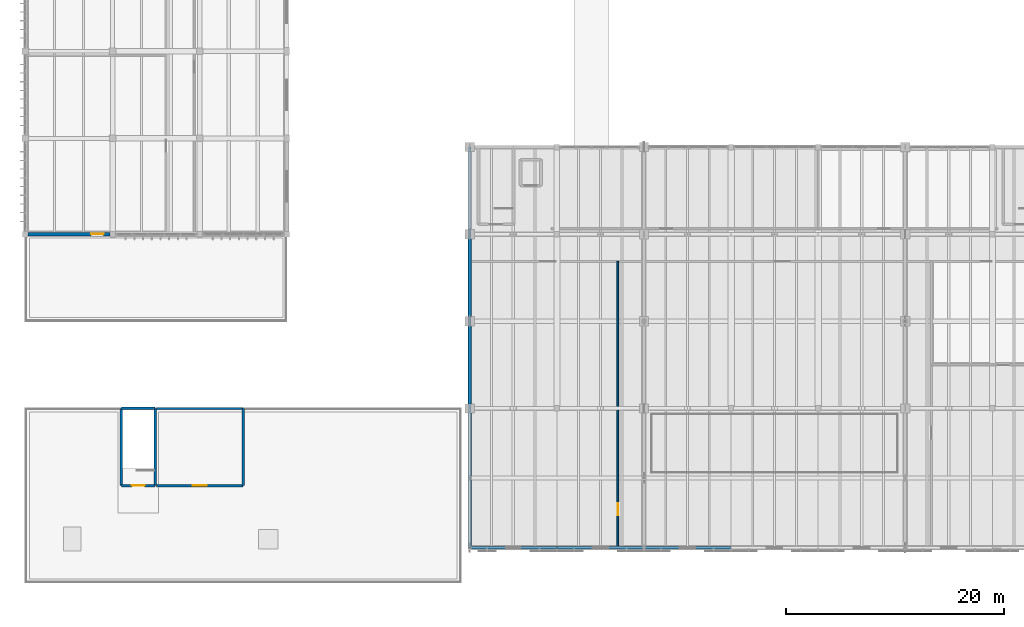
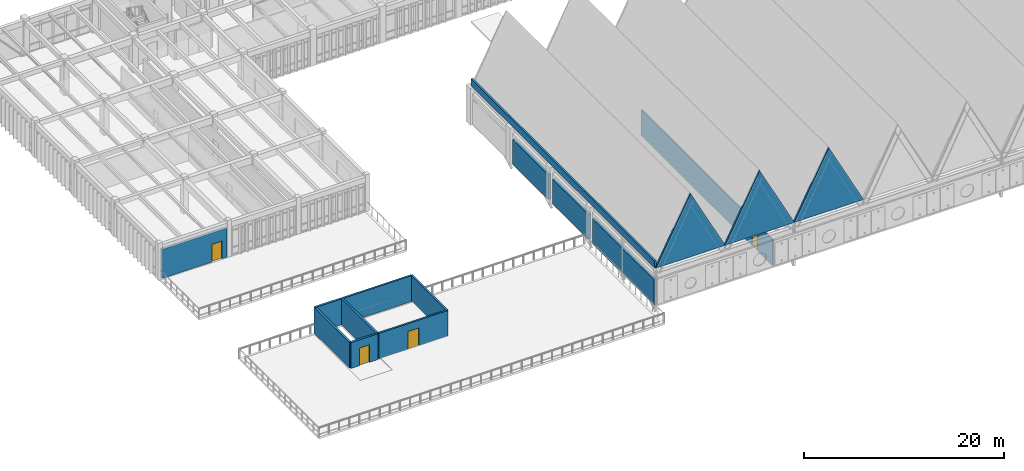
# One storey, part 47 of 72: 16 walls, 4 doors, 4 openings.
"""IFC4 building model written with IfcOpenShell, lengths in metres."""

from ifc_helpers import new_model, si_unit, direction, frame, frame_2d, origin, place, context, subcontext, project, spatial, polyline, rectangle, outline, extrude, material, layer, layer_set, type_object, element, fill, save


model = new_model("IFC4")

# Units and contexts
model_context = context("Model", 3, precision=1e-05, world=origin(), true_north=direction((0.0, 1.0)))
body_context = subcontext(model_context, "Body", "Model", "MODEL_VIEW")
ifc_project = project(units=[si_unit("LENGTHUNIT", "METRE"), si_unit("AREAUNIT", "SQUARE_METRE"), si_unit("VOLUMEUNIT", "CUBIC_METRE"), si_unit("PLANEANGLEUNIT", "RADIAN"), si_unit("MASSUNIT", "GRAM", prefix="KILO")], contexts=[model_context])

# Site, building, storey
site_placement = place(None, origin())
site = spatial("IfcSite", under=ifc_project, at=site_placement, CompositionType="ELEMENT")
building_placement = place(site_placement, origin())
building = spatial("IfcBuilding", under=site, at=building_placement, Name="Tlaxcora Railside Police Headquarters", CompositionType="ELEMENT")
storey_placement = place(building_placement, frame((0.0, 0.0, 13.5)))
storey = spatial("IfcBuildingStorey", under=building, at=storey_placement, Name="L03", CompositionType="ELEMENT", Elevation=13.5)

# Wall, opening, door
ifc_material_1 = material(Name="Gypsum acoustic partition board")
ifc_layer_1 = layer(ifc_material_1, 0.175048828125, Name="Gypsum acoustic partition board")
ifc_layer_set_1 = layer_set([ifc_layer_1], Name="Gypsum acoustic partition board")
wall_type_1 = type_object("IfcWallType", Name="Interior Partition Wall IW-22", PredefinedType="PARTITIONING", material=ifc_layer_set_1)
wall_1_placement = place(storey_placement, frame((59.60009765625, 23.199951171875, 0.0), z_axis=(0.0, 0.0, 1.0), x_axis=(0.0, 1.0, 0.0)))
wall_1 = element("IfcWall", 1, at=wall_1_placement, inside=storey, type_object=wall_type_1, Name="V2 L03 interior partition 171", PredefinedType="PARTITIONING", context=body_context, shape_type="SweptSolid", body=[
    extrude(rectangle(XDim=26.300048828125, YDim=0.175048828125, at=frame_2d((13.14990234375, 0.0))), origin(), (0.0, 0.0, 1.0), 3.159912109375),
])
opening_1_placement = place(wall_1_placement, frame((3.0, 0.0, 0.0)))
opening_1 = element("IfcOpeningElement", 2, at=opening_1_placement, cuts=wall_1, Name="Opening D-L03-200", PredefinedType="OPENING", context=body_context, shape_type="SweptSolid", body=[
    extrude(rectangle(XDim=1.10009765625, YDim=2.10009765625, at=frame_2d((0.550048828125, 1.050048828125))), frame((0.0, 0.09765625, 0.0), z_axis=(0.0, -1.0, 0.0), x_axis=(1.0, 0.0, 0.0)), (0.0, 0.0, 1.0), 0.195068359375),
])
ifc_material_2 = material(Name="Steel ASTM A992 Grade 50", Category="steel")
door_type_1 = type_object("IfcDoorType", Name="Swing or Sliding Personnel Door ID-66", OperationType="NOTDEFINED", PredefinedType="DOOR", material=ifc_material_2)
door_1_placement = place(opening_1_placement, origin())
door_1 = element("IfcDoor", 3, at=door_1_placement, inside=storey, type_object=door_type_1, Name="V2 L03 door D-L03-200", OperationType="SINGLE_SWING_LEFT", OverallHeight=2.10009765625, OverallWidth=1.10009765625, PredefinedType="DOOR", context=body_context, shape_type="SweptSolid", body=[
    extrude(rectangle(XDim=1.10009765625, YDim=2.10009765625, at=frame_2d((0.550048828125, 1.050048828125))), frame((0.0, 0.02490234375, 0.0), z_axis=(0.0, -1.0, 0.0), x_axis=(1.0, 0.0, 0.0)), (0.0, 0.0, 1.0), 0.050048828125),
])
fill(opening_1, door_1)

ifc_material_3 = material(Name="Precast concrete C40/50", Category="concrete")
ifc_layer_2 = layer(ifc_material_3, 0.2099609375, Name="Precast concrete C40/50")
ifc_layer_set_2 = layer_set([ifc_layer_2], Name="Precast concrete C40/50")
wall_type_2 = type_object("IfcWallType", Name="Roof Parapet Wall EW-12", PredefinedType="PARAPET", material=ifc_layer_set_2)
wall_2_placement = place(storey_placement, frame((17.239990234375, 28.89990234375, 0.0), z_axis=(0.0, 0.0, 1.0), x_axis=(1.0, 0.0, 0.0)))
wall_2 = element("IfcWall", 4, at=wall_2_placement, inside=storey, type_object=wall_type_2, Name="HH-C6-L03 garden pavilion south wall", PredefinedType="PARAPET", context=body_context, shape_type="SweptSolid", body=[
    extrude(rectangle(XDim=7.9599609375, YDim=0.2099609375, at=frame_2d((3.97998046875, 0.0))), origin(), (0.0, 0.0, 1.0), 3.14990234375),
])
opening_2_placement = place(wall_2_placement, frame((3.330078125, 0.0, 0.0)))
opening_2 = element("IfcOpeningElement", 5, at=opening_2_placement, cuts=wall_2, Name="Opening PD-C6", PredefinedType="OPENING", context=body_context, shape_type="SweptSolid", body=[
    extrude(rectangle(XDim=1.300048828125, YDim=2.199951171875, at=frame_2d((0.64990234375, 1.10009765625))), frame((0.0, 0.114990234375, 0.0), z_axis=(0.0, -1.0, 0.0), x_axis=(1.0, 0.0, 0.0)), (0.0, 0.0, 1.0), 0.22998046875),
])
ifc_material_4 = material(Name="Anodised aluminium framing", Category="aluminium")
door_type_2 = type_object("IfcDoorType", Name="Swing or Sliding Personnel Door ED-62", OperationType="NOTDEFINED", PredefinedType="DOOR", material=ifc_material_4)
door_2_placement = place(opening_2_placement, frame((1.300048828125, 0.0, 0.0), z_axis=(0.0, 0.0, 1.0), x_axis=(-1.0, 0.0, 0.0)))
door_2 = element("IfcDoor", 6, at=door_2_placement, inside=storey, type_object=door_type_2, Name="TERR-V4-L03-RG garden pavilion terrace door", OperationType="SINGLE_SWING_RIGHT", OverallHeight=2.199951171875, OverallWidth=1.300048828125, PredefinedType="DOOR", context=body_context, shape_type="SweptSolid", body=[
    extrude(rectangle(XDim=1.300048828125, YDim=2.199951171875, at=frame_2d((0.64990234375, 1.10009765625))), frame((0.0, 0.02490234375, 0.0), z_axis=(0.0, -1.0, 0.0), x_axis=(1.0, 0.0, 0.0)), (0.0, 0.0, 1.0), 0.050048828125),
])
fill(opening_2, door_2)

# Walls
wall_3_placement = place(storey_placement, frame((25.199951171875, 36.0, 0.0), z_axis=(0.0, 0.0, 1.0), x_axis=(-1.0, 0.0, 0.0)))
element("IfcWall", 7, at=wall_3_placement, inside=storey, type_object=wall_type_2, Name="HH-C6-L03 garden pavilion north wall", PredefinedType="PARAPET", context=body_context, shape_type="SweptSolid", body=[
    extrude(rectangle(XDim=7.9599609375, YDim=0.2099609375, at=frame_2d((3.97998046875, 0.0))), origin(), (0.0, 0.0, 1.0), 3.14990234375),
])
wall_4_placement = place(storey_placement, frame((25.199951171875, 28.89990234375, 0.0), z_axis=(0.0, 0.0, 1.0), x_axis=(0.0, 1.0, 0.0)))
element("IfcWall", 8, at=wall_4_placement, inside=storey, type_object=wall_type_2, Name="HH-C6-L03 garden pavilion east wall", PredefinedType="PARAPET", context=body_context, shape_type="SweptSolid", body=[
    extrude(rectangle(XDim=7.10009765625, YDim=0.2099609375, at=frame_2d((3.550048828125, 0.0))), origin(), (0.0, 0.0, 1.0), 3.14990234375),
])
wall_5_placement = place(storey_placement, frame((46.0, 23.199951171875, 4.5), z_axis=(0.0, 0.0, 1.0), x_axis=(0.0, 1.0, 0.0)))
element("IfcWall", 9, at=wall_5_placement, inside=storey, type_object=wall_type_2, Name="Roof parapet L03-01", PredefinedType="PARAPET", context=body_context, shape_type="SweptSolid", body=[
    extrude(rectangle(XDim=36.800048828125, YDim=0.2099609375, at=frame_2d((18.39990234375, 0.0))), origin(), (0.0, 0.0, 1.0), 0.85009765625),
])
ifc_layer_3 = layer(ifc_material_3, 0.215087890625, Name="Precast concrete C40/50")
ifc_layer_set_3 = layer_set([ifc_layer_3], Name="Precast concrete C40/50")
wall_type_3 = type_object("IfcWallType", Name="Structural Bearing Wall EW-34", PredefinedType="SOLIDWALL", material=ifc_layer_set_3)
for number, where, z_axis, x_axis, name in (
    (10, (46.0, 23.199951171875, 4.5), (0.0, 0.0, 1.0), (1.0, 0.0, 0.0), "Sawtooth gable end wall S-1"),
    (11, (54.0, 23.199951171875, 4.5), (0.0, 0.0, 1.0), (1.0, 0.0, 0.0), "Sawtooth gable end wall S-2"),
    (12, (62.0, 23.199951171875, 4.5), (0.0, 0.0, 1.0), (1.0, 0.0, 0.0), "Sawtooth gable end wall S-3"),
):
    element("IfcWall", number, at=place(storey_placement, frame(where, z_axis=z_axis, x_axis=x_axis)), inside=storey, type_object=wall_type_3, Name=name, PredefinedType="SOLIDWALL", context=body_context, shape_type="SweptSolid", body=[
        extrude(outline(polyline([(0.0, 0.0), (8.0, 0.0), (8.0, 0.050048828125), (4.0, 7.75), (0.0, 0.050048828125), (0.0, 0.0)])), frame((0.0, 0.107421875, 0.0), z_axis=(0.0, -1.0, 0.0), x_axis=(1.0, 0.0, 0.0)), (0.0, 0.0, 1.0), 0.215087890625),
    ])
ifc_material_5 = material(Name="Pressed clay brick masonry", Category="masonry")
ifc_layer_4 = layer(ifc_material_5, 0.294921875, Name="Pressed clay brick masonry")
ifc_layer_set_4 = layer_set([ifc_layer_4], Name="Pressed clay brick masonry")
wall_type_4 = type_object("IfcWallType", Name="Structural Bearing Wall EW-74", PredefinedType="SOLIDWALL", material=ifc_layer_set_4)
for number, where, z_axis, x_axis, name in (
    (13, (46.0, 51.574951171875, 0.0), (0.0, 0.0, 1.0), (0.0, -1.0, 0.0), "V2 L03 exterior wall 3.1"),
    (14, (46.0, 43.574951171875, 0.0), (0.0, 0.0, 1.0), (0.0, -1.0, 0.0), "V2 L03 exterior wall 3.2"),
):
    element("IfcWall", number, at=place(storey_placement, frame(where, z_axis=z_axis, x_axis=x_axis)), inside=storey, type_object=wall_type_4, Name=name, PredefinedType="SOLIDWALL", context=body_context, shape_type="SweptSolid", body=[
        extrude(rectangle(XDim=7.14990234375, YDim=0.294921875, at=frame_2d((3.574951171875, 0.0))), origin(), (0.0, 0.0, 1.0), 3.0400390625),
    ])
wall_6_placement = place(storey_placement, frame((46.0, 35.574951171875, 0.0), z_axis=(0.0, 0.0, 1.0), x_axis=(0.0, -1.0, 0.0)))
element("IfcWall", 15, at=wall_6_placement, inside=storey, type_object=wall_type_4, Name="V2 L03 exterior wall 3.3", PredefinedType="SOLIDWALL", context=body_context, shape_type="SweptSolid", body=[
    extrude(rectangle(XDim=12.375, YDim=0.294921875, at=frame_2d((6.1875, 0.0))), origin(), (0.0, 0.0, 1.0), 3.0400390625),
])

# Wall, opening, door
wall_7_placement = place(storey_placement, frame((5.449951171875, 52.0, 0.0), z_axis=(0.0, 0.0, 1.0), x_axis=(1.0, 0.0, 0.0)))
wall_7 = element("IfcWall", 16, at=wall_7_placement, inside=storey, type_object=wall_type_4, Name="V5 L03 exterior wall 0.0", PredefinedType="SOLIDWALL", context=body_context, shape_type="SweptSolid", body=[
    extrude(rectangle(XDim=7.5, YDim=0.294921875, at=frame_2d((3.75, 0.0))), origin(), (0.0, 0.0, 1.0), 3.5400390625),
])
opening_3_placement = place(wall_7_placement, frame((5.77490234375, 0.0, 0.0)))
opening_3 = element("IfcOpeningElement", 17, at=opening_3_placement, cuts=wall_7, Name="Opening TD-03", PredefinedType="OPENING", context=body_context, shape_type="SweptSolid", body=[
    extrude(rectangle(XDim=1.14990234375, YDim=2.14990234375, at=frame_2d((0.574951171875, 1.074951171875))), frame((0.0, 0.157470703125, 0.0), z_axis=(0.0, -1.0, 0.0), x_axis=(1.0, 0.0, 0.0)), (0.0, 0.0, 1.0), 0.31494140625),
])
door_type_3 = type_object("IfcDoorType", Name="Swing or Sliding Personnel Door ED-58", OperationType="NOTDEFINED", PredefinedType="DOOR", material=ifc_material_4)
door_3_placement = place(opening_3_placement, frame((1.14990234375, 0.0, 0.0), z_axis=(0.0, 0.0, 1.0), x_axis=(-1.0, 0.0, 0.0)))
door_3 = element("IfcDoor", 18, at=door_3_placement, inside=storey, type_object=door_type_3, Name="V5 L03 planted terrace access door", OperationType="SINGLE_SWING_LEFT", OverallHeight=2.14990234375, OverallWidth=1.14990234375, PredefinedType="DOOR", context=body_context, shape_type="SweptSolid", body=[
    extrude(rectangle(XDim=1.14990234375, YDim=2.14990234375, at=frame_2d((0.574951171875, 1.074951171875))), frame((0.0, 0.02490234375, 0.0), z_axis=(0.0, -1.0, 0.0), x_axis=(1.0, 0.0, 0.0)), (0.0, 0.0, 1.0), 0.050048828125),
])
fill(opening_3, door_3)

ifc_layer_5 = layer(ifc_material_3, 0.2451171875, Name="Precast concrete C40/50")
ifc_layer_set_5 = layer_set([ifc_layer_5], Name="Precast concrete C40/50")
wall_type_5 = type_object("IfcWallType", Name="Structural Bearing Wall EW-94", PredefinedType="SOLIDWALL", material=ifc_layer_set_5)
wall_8_placement = place(storey_placement, frame((14.0, 28.89990234375, 0.0), z_axis=(0.0, 0.0, 1.0), x_axis=(1.0, 0.0, 0.0)))
wall_8 = element("IfcWall", 19, at=wall_8_placement, inside=storey, type_object=wall_type_5, Name="HH-C6-L03 south wall", PredefinedType="SOLIDWALL", context=body_context, shape_type="SweptSolid", body=[
    extrude(rectangle(XDim=3.1201171875, YDim=0.2451171875, at=frame_2d((1.56005859375, 0.0))), origin(), (0.0, 0.0, 1.0), 3.14990234375),
])
opening_4_placement = place(wall_8_placement, frame((0.985107421875, 0.0, 0.0)))
opening_4 = element("IfcOpeningElement", 20, at=opening_4_placement, cuts=wall_8, Name="Opening RD-C6", PredefinedType="OPENING", context=body_context, shape_type="SweptSolid", body=[
    extrude(rectangle(XDim=1.14990234375, YDim=2.14990234375, at=frame_2d((0.574951171875, 1.074951171875))), frame((0.0, 0.132568359375, 0.0), z_axis=(0.0, -1.0, 0.0), x_axis=(1.0, 0.0, 0.0)), (0.0, 0.0, 1.0), 0.26513671875),
])
door_4_placement = place(opening_4_placement, frame((1.14990234375, 0.0, 0.0), z_axis=(0.0, 0.0, 1.0), x_axis=(-1.0, 0.0, 0.0)))
door_4 = element("IfcDoor", 21, at=door_4_placement, inside=storey, type_object=door_type_3, Name="TERR-V4-L03-RG stair exit door", OperationType="SINGLE_SWING_LEFT", OverallHeight=2.14990234375, OverallWidth=1.14990234375, PredefinedType="DOOR", context=body_context, shape_type="SweptSolid", body=[
    extrude(rectangle(XDim=1.14990234375, YDim=2.14990234375, at=frame_2d((0.574951171875, 1.074951171875))), frame((0.0, 0.02490234375, 0.0), z_axis=(0.0, -1.0, 0.0), x_axis=(1.0, 0.0, 0.0)), (0.0, 0.0, 1.0), 0.050048828125),
])
fill(opening_4, door_4)

# Walls
wall_9_placement = place(storey_placement, frame((17.1201171875, 36.0, 0.0), z_axis=(0.0, 0.0, 1.0), x_axis=(-1.0, 0.0, 0.0)))
element("IfcWall", 22, at=wall_9_placement, inside=storey, type_object=wall_type_5, Name="HH-C6-L03 north wall", PredefinedType="SOLIDWALL", context=body_context, shape_type="SweptSolid", body=[
    extrude(rectangle(XDim=3.1201171875, YDim=0.2451171875, at=frame_2d((1.56005859375, 0.0))), origin(), (0.0, 0.0, 1.0), 3.14990234375),
])
for number, where, z_axis, x_axis, name in (
    (23, (17.1201171875, 28.89990234375, 0.0), (0.0, 0.0, 1.0), (0.0, 1.0, 0.0), "HH-C6-L03 east partition wall"),
    (24, (14.0, 36.0, 0.0), (0.0, 0.0, 1.0), (0.0, -1.0, 0.0), "HH-C6-L03 west wall"),
):
    element("IfcWall", number, at=place(storey_placement, frame(where, z_axis=z_axis, x_axis=x_axis)), inside=storey, type_object=wall_type_5, Name=name, PredefinedType="SOLIDWALL", context=body_context, shape_type="SweptSolid", body=[
        extrude(rectangle(XDim=7.10009765625, YDim=0.2451171875, at=frame_2d((3.550048828125, 0.0))), origin(), (0.0, 0.0, 1.0), 3.14990234375),
    ])

save(model, "model.ifc")
